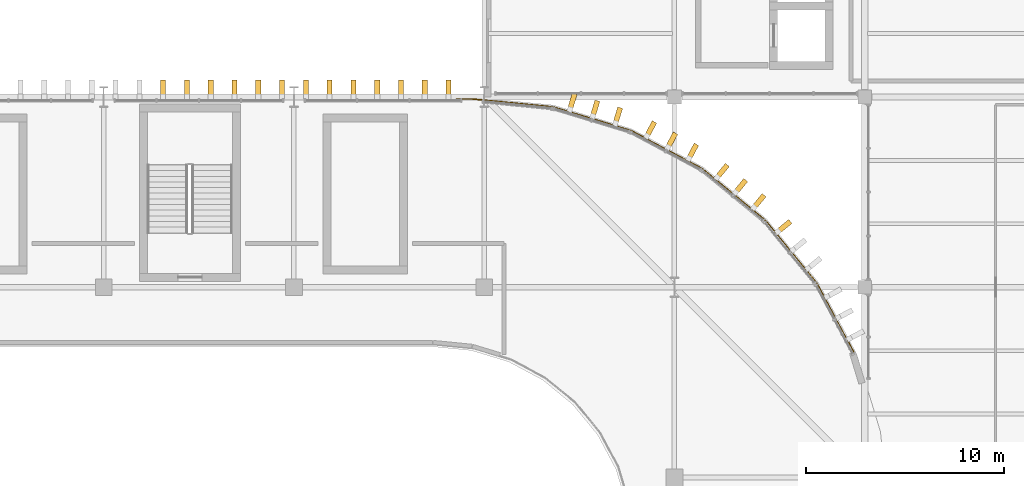
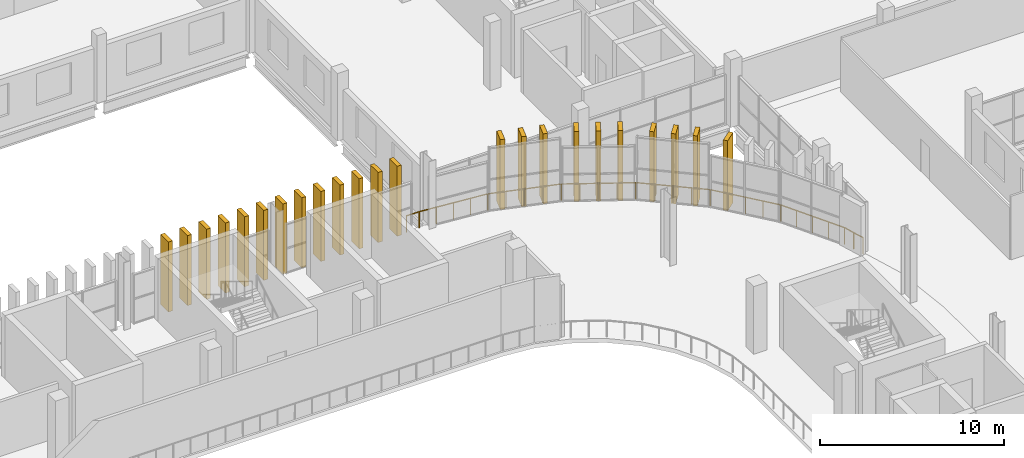
# One storey, part 88 of 92: 23 coverings, 1 railing.
"""IFC4 building model written with IfcOpenShell, lengths in metres."""

from ifc_helpers import new_model, si_unit, direction, frame, origin, origin_2d, place, context, subcontext, project, spatial, rectangle, circle, extrude, material, material_profile, profile_set, type_object, element, save


model = new_model("IFC4")

# Units and contexts
model_context = context("Model", 3, precision=1e-05, world=origin(), true_north=direction((0.0, 1.0)))
body_context = subcontext(model_context, "Body", "Model", "MODEL_VIEW")
ifc_project = project(units=[si_unit("LENGTHUNIT", "METRE"), si_unit("AREAUNIT", "SQUARE_METRE"), si_unit("VOLUMEUNIT", "CUBIC_METRE"), si_unit("PLANEANGLEUNIT", "RADIAN"), si_unit("MASSUNIT", "GRAM", prefix="KILO")], contexts=[model_context])

# Site, building, storey
site_placement = place(None, origin())
site = spatial("IfcSite", under=ifc_project, at=site_placement, CompositionType="ELEMENT")
building_placement = place(site_placement, origin())
building = spatial("IfcBuilding", under=site, at=building_placement, Name="Caelomonte Colonnade Arena", CompositionType="ELEMENT")
storey_placement = place(building_placement, frame((0.0, 0.0, 9.60009765625)))
storey = spatial("IfcBuildingStorey", under=building, at=storey_placement, Name="L02", CompositionType="ELEMENT", Elevation=9.60009765625)

# Coverings
ifc_material_1 = material(Name="Precast travertine cladding", Category="masonry")
ifc_material_profile = material_profile(ifc_material_1, rectangle(XDim=0.260009765625, YDim=0.85009765625, at=origin_2d()), Name="FIN260X850")
ifc_profile_set = profile_set([ifc_material_profile], Name="Precast travertine cladding")
covering_type = type_object("IfcCoveringType", Name="ENV-FN-SHAFT", PredefinedType="CLADDING", material=ifc_profile_set)
for number, where, z_axis, x_axis, name in (
    (1, (159.119140625, 108.65283203125, -0.16015625), (0.0, 0.0, 1.0), (0.634413521313, -0.77299384472, 0.0), "V1 L02 classical travertine vertical fin 80"),
    (2, (157.852783203125, 109.919189453125, -0.16015625), (0.0, 0.0, 1.0), (0.77299384472, -0.634413521313, 0.0), "V1 L02 classical travertine vertical fin 81"),
    (3, (156.92529296875, 110.680419921875, -0.16015625), (0.0, 0.0, 1.0), (0.77299384472, -0.634413521313, 0.0), "V1 L02 classical travertine vertical fin 82"),
    (4, (155.99755859375, 111.44189453125, -0.16015625), (0.0, 0.0, 1.0), (0.77299384472, -0.634413521313, 0.0), "V1 L02 classical travertine vertical fin 83"),
    (5, (154.508544921875, 112.436767578125, -0.16015625), (0.0, 0.0, 1.0), (0.881921264348, -0.471396736826, 0.0), "V1 L02 classical travertine vertical fin 84"),
    (6, (153.4501953125, 113.00244140625, -0.16015625), (0.0, 0.0, 1.0), (0.881921264348, -0.471396736826, 0.0), "V1 L02 classical travertine vertical fin 85"),
    (7, (152.391845703125, 113.568115234375, -0.16015625), (0.0, 0.0, 1.0), (0.881921264348, -0.471396736826, 0.0), "V1 L02 classical travertine vertical fin 86"),
    (8, (150.7373046875, 114.25341796875, -0.16015625), (0.0, 0.0, 1.0), (0.956942868907, -0.290276326364, 0.0), "V1 L02 classical travertine vertical fin 87"),
    (9, (149.5888671875, 114.601806640625, -0.16015625), (0.0, 0.0, 1.0), (0.956942868907, -0.290276326364, 0.0), "V1 L02 classical travertine vertical fin 88"),
    (10, (148.4404296875, 114.9501953125, -0.16015625), (0.0, 0.0, 1.0), (0.956942868907, -0.290276326364, 0.0), "V1 L02 classical travertine vertical fin 89"),
    (11, (142.199951171875, 115.62109375, -0.16015625), (0.0, 0.0, 1.0), (1.0, 0.0, 0.0), "V1 L02 classical travertine vertical fin 93"),
    (12, (141.0, 115.62109375, -0.16015625), (0.0, 0.0, 1.0), (1.0, 0.0, 0.0), "V1 L02 classical travertine vertical fin 94"),
    (13, (139.800048828125, 115.62109375, -0.16015625), (0.0, 0.0, 1.0), (1.0, 0.0, 0.0), "V1 L02 classical travertine vertical fin 95"),
    (14, (138.60009765625, 115.62109375, -0.16015625), (0.0, 0.0, 1.0), (1.0, 0.0, 0.0), "V1 L02 classical travertine vertical fin 96"),
    (15, (137.39990234375, 115.62109375, -0.16015625), (0.0, 0.0, 1.0), (1.0, 0.0, 0.0), "V1 L02 classical travertine vertical fin 97"),
    (16, (136.199951171875, 115.62109375, -0.16015625), (0.0, 0.0, 1.0), (1.0, 0.0, 0.0), "V1 L02 classical travertine vertical fin 98"),
    (17, (135.0, 115.62109375, -0.16015625), (0.0, 0.0, 1.0), (1.0, 0.0, 0.0), "V1 L02 classical travertine vertical fin 99"),
    (18, (133.800048828125, 115.62109375, -0.16015625), (0.0, 0.0, 1.0), (1.0, 0.0, 0.0), "V1 L02 classical travertine vertical fin 100"),
    (19, (132.60009765625, 115.62109375, -0.16015625), (0.0, 0.0, 1.0), (1.0, 0.0, 0.0), "V1 L02 classical travertine vertical fin 101"),
    (20, (131.39990234375, 115.62109375, -0.16015625), (0.0, 0.0, 1.0), (1.0, 0.0, 0.0), "V1 L02 classical travertine vertical fin 102"),
    (21, (130.199951171875, 115.62109375, -0.16015625), (0.0, 0.0, 1.0), (1.0, 0.0, 0.0), "V1 L02 classical travertine vertical fin 103"),
    (22, (129.0, 115.62109375, -0.16015625), (0.0, 0.0, 1.0), (1.0, 0.0, 0.0), "V1 L02 classical travertine vertical fin 104"),
    (23, (127.800048828125, 115.62109375, -0.16015625), (0.0, 0.0, 1.0), (1.0, 0.0, 0.0), "V1 L02 classical travertine vertical fin 105"),
):
    element("IfcCovering", number, at=place(storey_placement, frame(where, z_axis=z_axis, x_axis=x_axis)), inside=storey, type_object=covering_type, Name=name, PredefinedType="CLADDING", context=body_context, shape_type="SweptSolid", body=[
        extrude(rectangle(XDim=0.260009765625, YDim=0.85009765625, at=origin_2d()), origin(), (0.0, 0.0, 1.0), 4.66015625),
    ])

# Railing
ifc_material_2 = material(Name="Painted galvanized steel handrail and posts", Category="steel")
railing_type = type_object("IfcRailingType", Name="ENV-RL-GRD1", PredefinedType="GUARDRAIL", material=ifc_material_2)
railing_placement = place(storey_placement, frame((142.604248046875, 115.10009765625, 0.0)))
element("IfcRailing", 24, at=railing_placement, inside=storey, type_object=railing_type, Name="L02 NE colonnade loggia perimeter guard 2", PredefinedType="GUARDRAIL", context=body_context, shape_type="SweptSolid", body=[
    extrude(circle(Radius=0.02392578125, at=origin_2d()), frame((0.0, 0.0, 1.076171875), z_axis=(1.0, 0.0, 0.0), x_axis=(0.0, 1.0, 0.0)), (0.0, 0.0, 1.0), 0.759521484375),
    extrude(circle(Radius=0.02392578125, at=origin_2d()), frame((0.82177734375, -0.003173828125, 1.076171875), z_axis=(0.995183999526, -0.098024522889, 0.0), x_axis=(0.098024522889, 0.995183999526, 0.0)), (0.0, 0.0, 1.0), 4.03955078125),
    extrude(circle(Radius=0.02392578125, at=origin_2d()), frame((4.903076171875, -0.4111328125, 1.076171875), z_axis=(0.95694769148, -0.290260427498, 0.0), x_axis=(0.290260427498, 0.95694769148, 0.0)), (0.0, 0.0, 1.0), 4.034423828125),
    extrude(circle(Radius=0.02392578125, at=origin_2d()), frame((8.8212890625, -1.60595703125, 1.076171875), z_axis=(0.88191543793, -0.471407637126, 0.0), x_axis=(0.471407637126, 0.88191543793, 0.0)), (0.0, 0.0, 1.0), 4.03466796875),
    extrude(circle(Radius=0.02392578125, at=origin_2d()), frame((12.43115234375, -3.54248046875, 1.076171875), z_axis=(0.77295272311, -0.634463622154, 0.0), x_axis=(0.634463622154, 0.77295272311, 0.0)), (0.0, 0.0, 1.0), 4.034423828125),
    extrude(circle(Radius=0.02392578125, at=origin_2d()), frame((15.593505859375, -6.146240234375, 1.076171875), z_axis=(0.634463622154, -0.77295272311, 0.0), x_axis=(0.77295272311, 0.634463622154, 0.0)), (0.0, 0.0, 1.0), 4.034423828125),
    extrude(circle(Radius=0.02392578125, at=origin_2d()), frame((18.187744140625, -9.31640625, 1.076171875), z_axis=(0.471407637126, -0.88191543793, 0.0), x_axis=(0.88191543793, 0.471407637126, 0.0)), (0.0, 0.0, 1.0), 4.03466796875),
    extrude(circle(Radius=0.02392578125, at=origin_2d()), frame((20.113525390625, -12.93212890625, 1.076171875), z_axis=(0.290173545222, -0.956974040219, 0.0), x_axis=(0.956974040219, 0.290173545222, 0.0)), (0.0, 0.0, 1.0), 1.355224609375),
    extrude(circle(Radius=0.02099609375, at=origin_2d()), origin(), (0.0, 0.0, 1.0), 1.048095703125),
    extrude(circle(Radius=0.02099609375, at=origin_2d()), frame((0.790771484375, 0.0, 0.0)), (0.0, 0.0, 1.0), 1.048095703125),
    extrude(circle(Radius=0.02099609375, at=origin_2d()), frame((1.811279296875, -0.1005859375, 0.0)), (0.0, 0.0, 1.0), 1.048095703125),
    extrude(circle(Radius=0.02099609375, at=origin_2d()), frame((2.83203125, -0.201171875, 0.0)), (0.0, 0.0, 1.0), 1.048095703125),
    extrude(circle(Radius=0.02099609375, at=origin_2d()), frame((3.8525390625, -0.301513671875, 0.0)), (0.0, 0.0, 1.0), 1.048095703125),
    extrude(circle(Radius=0.02099609375, at=origin_2d()), frame((4.873046875, -0.402099609375, 0.0)), (0.0, 0.0, 1.0), 1.048095703125),
    extrude(circle(Radius=0.02099609375, at=origin_2d()), frame((5.853271484375, -0.699462890625, 0.0)), (0.0, 0.0, 1.0), 1.048095703125),
    extrude(circle(Radius=0.02099609375, at=origin_2d()), frame((6.83349609375, -0.99658203125, 0.0)), (0.0, 0.0, 1.0), 1.048095703125),
    extrude(circle(Radius=0.02099609375, at=origin_2d()), frame((7.8134765625, -1.2939453125, 0.0)), (0.0, 0.0, 1.0), 1.048095703125),
    extrude(circle(Radius=0.02099609375, at=origin_2d()), frame((8.793701171875, -1.59130859375, 0.0)), (0.0, 0.0, 1.0), 1.048095703125),
    extrude(circle(Radius=0.02099609375, at=origin_2d()), frame((9.697021484375, -2.07421875, 0.0)), (0.0, 0.0, 1.0), 1.048095703125),
    extrude(circle(Radius=0.02099609375, at=origin_2d()), frame((10.600341796875, -2.55712890625, 0.0)), (0.0, 0.0, 1.0), 1.048095703125),
    extrude(circle(Radius=0.02099609375, at=origin_2d()), frame((11.503662109375, -3.039794921875, 0.0)), (0.0, 0.0, 1.0), 1.048095703125),
    extrude(circle(Radius=0.02099609375, at=origin_2d()), frame((12.406982421875, -3.522705078125, 0.0)), (0.0, 0.0, 1.0), 1.048095703125),
    extrude(circle(Radius=0.02099609375, at=origin_2d()), frame((13.19873046875, -4.172607421875, 0.0)), (0.0, 0.0, 1.0), 1.048095703125),
    extrude(circle(Radius=0.02099609375, at=origin_2d()), frame((13.990234375, -4.822265625, 0.0)), (0.0, 0.0, 1.0), 1.048095703125),
    extrude(circle(Radius=0.02099609375, at=origin_2d()), frame((14.781982421875, -5.47216796875, 0.0)), (0.0, 0.0, 1.0), 1.048095703125),
    extrude(circle(Radius=0.02099609375, at=origin_2d()), frame((15.57373046875, -6.1220703125, 0.0)), (0.0, 0.0, 1.0), 1.048095703125),
    extrude(circle(Radius=0.02099609375, at=origin_2d()), frame((16.2236328125, -6.913818359375, 0.0)), (0.0, 0.0, 1.0), 1.048095703125),
    extrude(circle(Radius=0.02099609375, at=origin_2d()), frame((16.87353515625, -7.70556640625, 0.0)), (0.0, 0.0, 1.0), 1.048095703125),
    extrude(circle(Radius=0.02099609375, at=origin_2d()), frame((17.523193359375, -8.4970703125, 0.0)), (0.0, 0.0, 1.0), 1.048095703125),
    extrude(circle(Radius=0.02099609375, at=origin_2d()), frame((18.173095703125, -9.288818359375, 0.0)), (0.0, 0.0, 1.0), 1.048095703125),
    extrude(circle(Radius=0.02099609375, at=origin_2d()), frame((18.656005859375, -10.192138671875, 0.0)), (0.0, 0.0, 1.0), 1.048095703125),
    extrude(circle(Radius=0.02099609375, at=origin_2d()), frame((19.138671875, -11.095458984375, 0.0)), (0.0, 0.0, 1.0), 1.048095703125),
    extrude(circle(Radius=0.02099609375, at=origin_2d()), frame((19.62158203125, -11.998779296875, 0.0)), (0.0, 0.0, 1.0), 1.048095703125),
    extrude(circle(Radius=0.02099609375, at=origin_2d()), frame((20.1044921875, -12.902099609375, 0.0)), (0.0, 0.0, 1.0), 1.048095703125),
    extrude(circle(Radius=0.02099609375, at=origin_2d()), frame((20.3056640625, -13.5654296875, 0.0)), (0.0, 0.0, 1.0), 1.048095703125),
    extrude(circle(Radius=0.02099609375, at=origin_2d()), frame((20.5068359375, -14.22900390625, 0.0)), (0.0, 0.0, 1.0), 1.048095703125),
])

save(model, "model.ifc")
